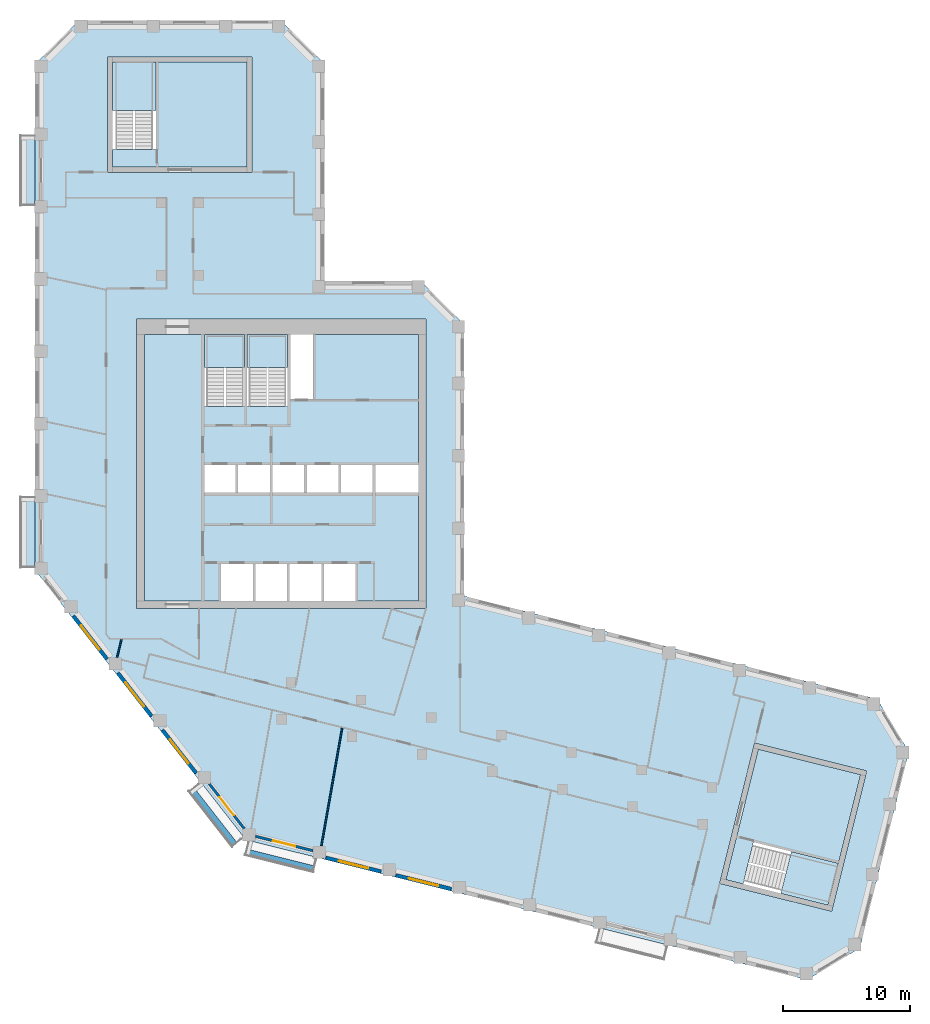
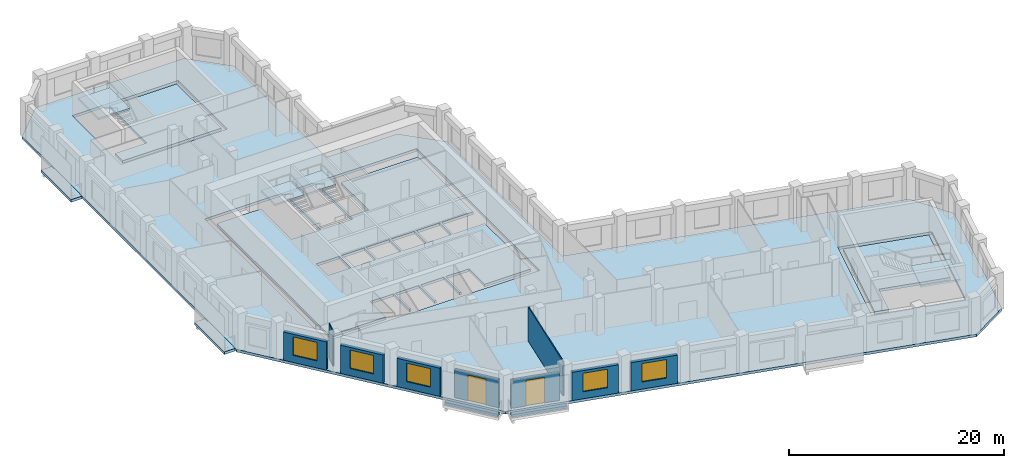
# One storey, part 2 of 9: 11 walls, 10 slabs, 5 windows, 2 doors, 7 openings, 4 elements without a shape of their own.
"""IFC4 building model written with IfcOpenShell, lengths in metres."""

from ifc_helpers import new_model, si_unit, direction, frame, frame_2d, origin, place, context, subcontext, project, spatial, polyline, rectangle, outline, extrude, material, layer, layer_set, type_object, element, fill, aggregate, save


model = new_model("IFC4")

# Units and contexts
model_context = context("Model", 3, precision=1e-05, world=origin(), true_north=direction((0.0, 1.0)))
body_context = subcontext(model_context, "Body", "Model", "MODEL_VIEW")
ifc_project = project(units=[si_unit("LENGTHUNIT", "METRE"), si_unit("AREAUNIT", "SQUARE_METRE"), si_unit("VOLUMEUNIT", "CUBIC_METRE"), si_unit("PLANEANGLEUNIT", "RADIAN"), si_unit("MASSUNIT", "GRAM", prefix="KILO")], contexts=[model_context])

# Site, building, storey
site_placement = place(None, origin())
site = spatial("IfcSite", under=ifc_project, at=site_placement, CompositionType="ELEMENT")
building_placement = place(site_placement, origin())
building = spatial("IfcBuilding", under=site, at=building_placement, Name="Meshkara Civic Tower", CompositionType="ELEMENT")
storey_placement = place(building_placement, frame((0.0, 0.0, 294.0)))
storey = spatial("IfcBuildingStorey", under=building, at=storey_placement, Name="L67", CompositionType="ELEMENT", Elevation=294.0)

# Slabs
ifc_material_1 = material(Name="Concrete C40", Category="concrete")
ifc_layer_1 = layer(ifc_material_1, 0.300048828125)
ifc_layer_set_1 = layer_set([ifc_layer_1], Name="BALCONY SLAB")
slab_type_1 = type_object("IfcSlabType", Name="BALCONY SLAB", PredefinedType="FLOOR", material=ifc_layer_set_1)
slab_1_placement = place(storey_placement, frame((0.0, 0.0, -0.300048828125)))
element("IfcSlab", 1, at=slab_1_placement, inside=storey, type_object=slab_type_1, Name="Balcony slab", PredefinedType="FLOOR", context=body_context, shape_type="SweptSolid", body=[
    extrude(outline(polyline([(-1.199951171875, 45.81494140625), (-1.199951171875, 51.39501953125), (-0.050048828125, 51.39501953125), (-0.050048828125, 50.955078125), (0.0, 50.955078125), (0.0, 46.2548828125), (-0.050048828125, 46.2548828125), (-0.050048828125, 45.81494140625), (-1.199951171875, 45.81494140625)])), origin(), (0.0, 0.0, 1.0), 0.300048828125),
])
slab_2_placement = place(storey_placement, frame((0.0, 0.0, -0.300048828125)))
element("IfcSlab", 2, at=slab_2_placement, inside=storey, type_object=slab_type_1, Name="Balcony slab", PredefinedType="FLOOR", context=body_context, shape_type="SweptSolid", body=[
    extrude(outline(polyline([(-1.199951171875, 17.31494140625), (-1.199951171875, 22.89501953125), (-0.050048828125, 22.89501953125), (-0.050048828125, 22.455078125), (0.0, 22.455078125), (0.0, 17.7548828125), (-0.050048828125, 17.7548828125), (-0.050048828125, 17.31494140625), (-1.199951171875, 17.31494140625)])), origin(), (0.0, 0.0, 1.0), 0.300048828125),
])
ifc_material_2 = material(Name="Concrete C40/50", Category="concrete")
ifc_layer_2 = layer(ifc_material_2, 0.300048828125)
ifc_layer_set_2 = layer_set([ifc_layer_2], Name="Core floor slab 300 C40/50")
slab_type_2 = type_object("IfcSlabType", Name="Core floor slab 300 C40/50", PredefinedType="FLOOR", material=ifc_layer_set_2)
slab_3_placement = place(storey_placement, frame((0.0, 0.0, -0.300048828125)))
element("IfcSlab", 3, at=slab_3_placement, inside=storey, type_object=slab_type_2, Name="Core floor K", PredefinedType="FLOOR", context=body_context, shape_type="SweptSolid", body=[
    extrude(outline(polyline([(8.60009765625, 35.699951171875), (13.35009765625, 35.699951171875), (13.35009765625, 30.00146484375), (16.5, 30.00146484375), (16.5, 35.699951171875), (16.699951171875, 35.699951171875), (16.699951171875, 30.00146484375), (19.89990234375, 30.00146484375), (19.89990234375, 35.699951171875), (20.10009765625, 35.699951171875), (20.10009765625, 30.574951171875), (21.925048828125, 30.574951171875), (21.925048828125, 35.699951171875), (30.199951171875, 35.699951171875), (30.199951171875, 25.39990234375), (26.800048828125, 25.39990234375), (26.800048828125, 23.25), (30.199951171875, 23.25), (30.199951171875, 14.699951171875), (25.25, 14.699951171875), (25.25, 17.60009765625), (22.75, 17.60009765625), (22.75, 14.699951171875), (22.550048828125, 14.699951171875), (22.550048828125, 17.60009765625), (20.050048828125, 17.60009765625), (20.050048828125, 14.699951171875), (19.85009765625, 14.699951171875), (19.85009765625, 17.60009765625), (17.35009765625, 17.60009765625), (17.35009765625, 14.699951171875), (17.14990234375, 14.699951171875), (17.14990234375, 17.60009765625), (14.64990234375, 17.60009765625), (14.64990234375, 14.699951171875), (8.60009765625, 14.699951171875), (8.60009765625, 35.699951171875)]), holes=[polyline([(13.35009765625, 25.39990234375), (13.35009765625, 23.25), (15.800048828125, 23.25), (15.800048828125, 25.39990234375), (13.35009765625, 25.39990234375)]), polyline([(18.5, 25.39990234375), (16.0, 25.39990234375), (16.0, 23.25), (18.5, 23.25), (18.5, 25.39990234375)]), polyline([(18.699951171875, 25.39990234375), (18.699951171875, 23.25), (21.199951171875, 23.25), (21.199951171875, 25.39990234375), (18.699951171875, 25.39990234375)]), polyline([(23.89990234375, 23.25), (23.89990234375, 25.39990234375), (21.39990234375, 25.39990234375), (21.39990234375, 23.25), (23.89990234375, 23.25)]), polyline([(26.60009765625, 25.39990234375), (24.10009765625, 25.39990234375), (24.10009765625, 23.25), (26.60009765625, 23.25), (26.60009765625, 25.39990234375)])]), origin(), (0.0, 0.0, 1.0), 0.300048828125),
])
slab_4_placement = place(storey_placement, frame((0.0, 0.0, -0.300048828125)))
element("IfcSlab", 4, at=slab_4_placement, inside=storey, type_object=slab_type_2, Name="Core floor EA", PredefinedType="FLOOR", context=body_context, shape_type="SweptSolid", body=[
    extrude(outline(polyline([(16.699951171875, 48.8701171875), (16.699951171875, 57.169921875), (9.5, 57.169921875), (9.5, 50.271484375), (6.10009765625, 50.271484375), (6.10009765625, 48.8701171875), (16.699951171875, 48.8701171875)])), origin(), (0.0, 0.0, 1.0), 0.300048828125),
])
slab_5_placement = place(storey_placement, frame((0.0, 0.0, -0.300048828125)))
element("IfcSlab", 5, at=slab_5_placement, inside=storey, type_object=slab_type_2, Name="Core floor EB", PredefinedType="FLOOR", context=body_context, shape_type="SweptSolid", body=[
    extrude(outline(polyline([(56.989013671875, 3.002197265625), (65.04248046875, 0.994384765625), (63.30078125, -5.99169921875), (56.607177734375, -4.322998046875), (55.78466796875, -7.621826171875), (54.4248046875, -7.282958984375), (56.989013671875, 3.002197265625)])), origin(), (0.0, 0.0, 1.0), 0.300048828125),
])

# Stair, slab
ifc_material_3 = material(Name="Precast concrete C40/50", Category="concrete")
stair_type = type_object("IfcStairType", Name="Exit stair half-turn 24 risers precast", PredefinedType="HALF_TURN_STAIR", material=ifc_material_3)
stair_1_placement = place(storey_placement, origin())
stair_1 = element("IfcStair", 6, at=stair_1_placement, inside=storey, type_object=stair_type, Name="L67 exit stair 1", PredefinedType="HALF_TURN_STAIR")
ifc_material_4 = material(Name="Precast concrete C40/50", Category="concrete")
ifc_layer_3 = layer(ifc_material_4, 0.199951171875)
ifc_layer_set_3 = layer_set([ifc_layer_3], Name="Exit stair landing 200")
slab_type_3 = type_object("IfcSlabType", Name="Exit stair landing 200", PredefinedType="LANDING", material=ifc_layer_set_3)
slab_6_placement = place(storey_placement, frame((0.0, 0.0, 1.89990234375)))
slab_6 = element("IfcSlab", 7, at=slab_6_placement, type_object=slab_type_3, Name="ST1 landing 1", PredefinedType="LANDING", context=body_context, shape_type="SweptSolid", body=[
    extrude(outline(polyline([(16.5, 33.07861328125), (16.5, 35.699951171875), (13.35009765625, 35.699951171875), (13.35009765625, 33.07861328125), (16.5, 33.07861328125)])), origin(), (0.0, 0.0, 1.0), 0.2001953125),
])
aggregate(stair_1, [slab_6])

stair_2_placement = place(storey_placement, origin())
stair_2 = element("IfcStair", 8, at=stair_2_placement, inside=storey, type_object=stair_type, Name="L67 exit stair 2", PredefinedType="HALF_TURN_STAIR")
slab_7_placement = place(storey_placement, frame((0.0, 0.0, 1.89990234375)))
slab_7 = element("IfcSlab", 9, at=slab_7_placement, type_object=slab_type_3, Name="ST2 landing 1", PredefinedType="LANDING", context=body_context, shape_type="SweptSolid", body=[
    extrude(outline(polyline([(19.89990234375, 33.07861328125), (19.89990234375, 35.699951171875), (16.699951171875, 35.699951171875), (16.699951171875, 33.07861328125), (19.89990234375, 33.07861328125)])), origin(), (0.0, 0.0, 1.0), 0.2001953125),
])
aggregate(stair_2, [slab_7])

stair_3_placement = place(storey_placement, origin())
stair_3 = element("IfcStair", 10, at=stair_3_placement, inside=storey, type_object=stair_type, Name="L67 exit stair A from L65", PredefinedType="HALF_TURN_STAIR")
slab_8_placement = place(storey_placement, frame((0.0, 0.0, 1.89990234375)))
slab_8 = element("IfcSlab", 11, at=slab_8_placement, type_object=slab_type_3, Name="ESA5 landing 1", PredefinedType="LANDING", context=body_context, shape_type="SweptSolid", body=[
    extrude(outline(polyline([(9.5, 53.348388671875), (9.5, 57.169921875), (6.10009765625, 57.169921875), (6.10009765625, 53.348388671875), (9.5, 53.348388671875)])), origin(), (0.0, 0.0, 1.0), 0.2001953125),
])
aggregate(stair_3, [slab_8])

stair_4_placement = place(storey_placement, origin())
stair_4 = element("IfcStair", 12, at=stair_4_placement, inside=storey, type_object=stair_type, Name="L67 exit stair B from L65", PredefinedType="HALF_TURN_STAIR")
slab_9_placement = place(storey_placement, frame((0.0, 0.0, 1.89990234375)))
slab_9 = element("IfcSlab", 13, at=slab_9_placement, type_object=slab_type_3, Name="ESB5 landing 1", PredefinedType="LANDING", context=body_context, shape_type="SweptSolid", body=[
    extrude(outline(polyline([(58.769775390625, -8.366943359375), (62.477783203125, -9.2919921875), (63.301025390625, -5.991943359375), (59.593017578125, -5.06689453125), (58.769775390625, -8.366943359375)])), origin(), (0.0, 0.0, 1.0), 0.2001953125),
])
aggregate(stair_4, [slab_9])

# Slab
ifc_material_5 = material(Name="Concrete C50", Category="concrete")
ifc_layer_4 = layer(ifc_material_5, 0.300048828125)
ifc_layer_set_4 = layer_set([ifc_layer_4], Name="Post-tensioned flat slab 300 C50")
slab_type_4 = type_object("IfcSlabType", Name="Post-tensioned flat slab 300 C50", PredefinedType="FLOOR", material=ifc_layer_set_4)
slab_10_placement = place(storey_placement, frame((0.0, 0.0, -0.300048828125)))
element("IfcSlab", 14, at=slab_10_placement, inside=storey, type_object=slab_type_4, Name="Post-tensioned flat slab L67", PredefinedType="FLOOR", context=body_context, shape_type="SweptSolid", body=[
    extrude(outline(polyline([(64.98291015625, -12.677001953125), (60.837890625, -15.1689453125), (16.592041015625, -4.136962890625), (0.0, 17.10009765625), (0.0, 57.0), (3.419921875, 60.419921875), (19.3798828125, 60.419921875), (22.800048828125, 57.0), (22.800048828125, 39.89990234375), (30.3798828125, 39.89990234375), (33.800048828125, 36.47998046875), (33.800048828125, 15.071044921875), (66.35302734375, 6.9541015625), (68.843994140625, 2.80810546875), (64.98291015625, -12.677001953125)]), holes=[polyline([(62.77001953125, -9.77587890625), (65.527099609375, 1.285888671875), (56.697998046875, 3.487060546875), (53.93994140625, -7.573974609375), (62.77001953125, -9.77587890625)]), polyline([(8.0, 14.10009765625), (30.800048828125, 14.10009765625), (30.800048828125, 36.89990234375), (8.0, 36.89990234375), (8.0, 14.10009765625)]), polyline([(5.699951171875, 57.570068359375), (5.699951171875, 48.469970703125), (17.10009765625, 48.469970703125), (17.10009765625, 57.570068359375), (5.699951171875, 57.570068359375)])]), origin(), (0.0, 0.0, 1.0), 0.300048828125),
])

# Wall, opening, window
ifc_material_6 = material(Name="Insulated infill panel with bronze anodised aluminium cladding", Category="aluminium")
ifc_layer_5 = layer(ifc_material_6, 0.300048828125)
ifc_layer_set_5 = layer_set([ifc_layer_5], Name="EXTERNAL INFILL WALL 300")
wall_type_1 = type_object("IfcWallType", Name="EXTERNAL INFILL WALL 300", PredefinedType="SOLIDWALL", material=ifc_layer_set_5)
wall_1_placement = place(storey_placement, frame((3.010009765625, 13.490966796875, 0.0), z_axis=(0.0, 0.0, 1.0), x_axis=(0.615713519567, -0.787970089421, 0.0)))
wall_1 = element("IfcWall", 15, at=wall_1_placement, inside=storey, type_object=wall_type_1, Name="External wall", PredefinedType="SOLIDWALL", context=body_context, shape_type="SweptSolid", body=[
    extrude(rectangle(XDim=4.2958984375, YDim=0.300048828125, at=frame_2d((2.14794921875, 0.0))), origin(), (0.0, 0.0, 1.0), 3.199951171875),
])
opening_1_placement = place(wall_1_placement, frame((0.947998046875, 0.0, 0.800048828125)))
opening_1 = element("IfcOpeningElement", 16, at=opening_1_placement, cuts=wall_1, Name="Opening W7", PredefinedType="OPENING", context=body_context, shape_type="SweptSolid", body=[
    extrude(rectangle(XDim=2.39990234375, YDim=2.10009765625, at=frame_2d((1.199951171875, 1.050048828125))), frame((0.0, 0.159912109375, 0.0), z_axis=(0.0, -1.0, 0.0), x_axis=(1.0, 0.0, 0.0)), (0.0, 0.0, 1.0), 0.320068359375),
])
ifc_material_7 = material(Name="Tinted double glazing", Category="glass")
window_type = type_object("IfcWindowType", Name="WINDOW 2400x2100", PartitioningType="DOUBLE_PANEL_VERTICAL", PredefinedType="WINDOW", material=ifc_material_7)
window_1_placement = place(opening_1_placement, origin())
window_1 = element("IfcWindow", 17, at=window_1_placement, inside=storey, type_object=window_type, Name="Window", OverallHeight=2.10009765625, OverallWidth=2.39990234375, PartitioningType="DOUBLE_PANEL_VERTICAL", PredefinedType="WINDOW", context=body_context, shape_type="SweptSolid", body=[
    extrude(rectangle(XDim=2.39990234375, YDim=2.10009765625, at=frame_2d((1.199951171875, 1.050048828125))), frame((0.0, 0.030029296875, 0.0), z_axis=(0.0, -1.0, 0.0), x_axis=(1.0, 0.0, 0.0)), (0.0, 0.0, 1.0), 0.06005859375),
])
fill(opening_1, window_1)

wall_2_placement = place(storey_placement, frame((6.51904296875, 9.0, 0.0), z_axis=(0.0, 0.0, 1.0), x_axis=(0.615634121154, -0.788032124263, 0.0)))
wall_2 = element("IfcWall", 18, at=wall_2_placement, inside=storey, type_object=wall_type_1, Name="External wall", PredefinedType="SOLIDWALL", context=body_context, shape_type="SweptSolid", body=[
    extrude(rectangle(XDim=4.298095703125, YDim=0.300048828125, at=frame_2d((2.14892578125, 0.0))), origin(), (0.0, 0.0, 1.0), 3.199951171875),
])
opening_2_placement = place(wall_2_placement, frame((0.948974609375, 0.0, 0.800048828125)))
opening_2 = element("IfcOpeningElement", 19, at=opening_2_placement, cuts=wall_2, Name="Opening W7", PredefinedType="OPENING", context=body_context, shape_type="SweptSolid", body=[
    extrude(rectangle(XDim=2.39990234375, YDim=2.10009765625, at=frame_2d((1.199951171875, 1.050048828125))), frame((0.0, 0.159912109375, 0.0), z_axis=(0.0, -1.0, 0.0), x_axis=(1.0, 0.0, 0.0)), (0.0, 0.0, 1.0), 0.320068359375),
])
window_2_placement = place(opening_2_placement, origin())
window_2 = element("IfcWindow", 20, at=window_2_placement, inside=storey, type_object=window_type, Name="Window", OverallHeight=2.10009765625, OverallWidth=2.39990234375, PartitioningType="DOUBLE_PANEL_VERTICAL", PredefinedType="WINDOW", context=body_context, shape_type="SweptSolid", body=[
    extrude(rectangle(XDim=2.39990234375, YDim=2.10009765625, at=frame_2d((1.199951171875, 1.050048828125))), frame((0.0, 0.030029296875, 0.0), z_axis=(0.0, -1.0, 0.0), x_axis=(1.0, 0.0, 0.0)), (0.0, 0.0, 1.0), 0.06005859375),
])
fill(opening_2, window_2)

wall_3_placement = place(storey_placement, frame((10.029052734375, 4.507080078125, 0.0), z_axis=(0.0, 0.0, 1.0), x_axis=(0.615572343689, -0.788080382756, 0.0)))
wall_3 = element("IfcWall", 21, at=wall_3_placement, inside=storey, type_object=wall_type_1, Name="External wall", PredefinedType="SOLIDWALL", context=body_context, shape_type="SweptSolid", body=[
    extrude(rectangle(XDim=4.295166015625, YDim=0.300048828125, at=frame_2d((2.1474609375, 0.0))), origin(), (0.0, 0.0, 1.0), 3.199951171875),
])
opening_3_placement = place(wall_3_placement, frame((0.947998046875, 0.0, 0.800048828125)))
opening_3 = element("IfcOpeningElement", 22, at=opening_3_placement, cuts=wall_3, Name="Opening W7", PredefinedType="OPENING", context=body_context, shape_type="SweptSolid", body=[
    extrude(rectangle(XDim=2.39990234375, YDim=2.10009765625, at=frame_2d((1.199951171875, 1.050048828125))), frame((0.0, 0.159912109375, 0.0), z_axis=(0.0, -1.0, 0.0), x_axis=(1.0, 0.0, 0.0)), (0.0, 0.0, 1.0), 0.320068359375),
])
window_3_placement = place(opening_3_placement, origin())
window_3 = element("IfcWindow", 23, at=window_3_placement, inside=storey, type_object=window_type, Name="Window", OverallHeight=2.10009765625, OverallWidth=2.39990234375, PartitioningType="DOUBLE_PANEL_VERTICAL", PredefinedType="WINDOW", context=body_context, shape_type="SweptSolid", body=[
    extrude(rectangle(XDim=2.39990234375, YDim=2.10009765625, at=frame_2d((1.199951171875, 1.050048828125))), frame((0.0, 0.030029296875, 0.0), z_axis=(0.0, -1.0, 0.0), x_axis=(1.0, 0.0, 0.0)), (0.0, 0.0, 1.0), 0.06005859375),
])
fill(opening_3, window_3)

wall_4_placement = place(storey_placement, frame((22.89794921875, -5.554931640625, 0.0), z_axis=(0.0, 0.0, 1.0), x_axis=(0.970315118421, -0.24184410467, 0.0)))
wall_4 = element("IfcWall", 24, at=wall_4_placement, inside=storey, type_object=wall_type_1, Name="External wall", PredefinedType="SOLIDWALL", context=body_context, shape_type="SweptSolid", body=[
    extrude(rectangle(XDim=4.486083984375, YDim=0.300048828125, at=frame_2d((2.2431640625, 0.0))), origin(), (0.0, 0.0, 1.0), 3.199951171875),
])
opening_4_placement = place(wall_4_placement, frame((1.0439453125, 0.0, 0.800048828125)))
opening_4 = element("IfcOpeningElement", 25, at=opening_4_placement, cuts=wall_4, Name="Opening W7", PredefinedType="OPENING", context=body_context, shape_type="SweptSolid", body=[
    extrude(rectangle(XDim=2.39990234375, YDim=2.10009765625, at=frame_2d((1.199951171875, 1.050048828125))), frame((0.0, 0.159912109375, 0.0), z_axis=(0.0, -1.0, 0.0), x_axis=(1.0, 0.0, 0.0)), (0.0, 0.0, 1.0), 0.320068359375),
])
window_4_placement = place(opening_4_placement, origin())
window_4 = element("IfcWindow", 26, at=window_4_placement, inside=storey, type_object=window_type, Name="Window", OverallHeight=2.10009765625, OverallWidth=2.39990234375, PartitioningType="DOUBLE_PANEL_VERTICAL", PredefinedType="WINDOW", context=body_context, shape_type="SweptSolid", body=[
    extrude(rectangle(XDim=2.39990234375, YDim=2.10009765625, at=frame_2d((1.199951171875, 1.050048828125))), frame((0.0, 0.030029296875, 0.0), z_axis=(0.0, -1.0, 0.0), x_axis=(1.0, 0.0, 0.0)), (0.0, 0.0, 1.0), 0.06005859375),
])
fill(opening_4, window_4)

wall_5_placement = place(storey_placement, frame((28.427978515625, -6.93310546875, 0.0), z_axis=(0.0, 0.0, 1.0), x_axis=(0.970276766004, -0.241997928406, 0.0)))
wall_5 = element("IfcWall", 27, at=wall_5_placement, inside=storey, type_object=wall_type_1, Name="External wall", PredefinedType="SOLIDWALL", context=body_context, shape_type="SweptSolid", body=[
    extrude(rectangle(XDim=4.4873046875, YDim=0.300048828125, at=frame_2d((2.24365234375, 0.0))), origin(), (0.0, 0.0, 1.0), 3.199951171875),
])
opening_5_placement = place(wall_5_placement, frame((1.0439453125, 0.0, 0.800048828125)))
opening_5 = element("IfcOpeningElement", 28, at=opening_5_placement, cuts=wall_5, Name="Opening W7", PredefinedType="OPENING", context=body_context, shape_type="SweptSolid", body=[
    extrude(rectangle(XDim=2.39990234375, YDim=2.10009765625, at=frame_2d((1.199951171875, 1.050048828125))), frame((0.0, 0.159912109375, 0.0), z_axis=(0.0, -1.0, 0.0), x_axis=(1.0, 0.0, 0.0)), (0.0, 0.0, 1.0), 0.320068359375),
])
window_5_placement = place(opening_5_placement, origin())
window_5 = element("IfcWindow", 29, at=window_5_placement, inside=storey, type_object=window_type, Name="Window", OverallHeight=2.10009765625, OverallWidth=2.39990234375, PartitioningType="DOUBLE_PANEL_VERTICAL", PredefinedType="WINDOW", context=body_context, shape_type="SweptSolid", body=[
    extrude(rectangle(XDim=2.39990234375, YDim=2.10009765625, at=frame_2d((1.199951171875, 1.050048828125))), frame((0.0, 0.030029296875, 0.0), z_axis=(0.0, -1.0, 0.0), x_axis=(1.0, 0.0, 0.0)), (0.0, 0.0, 1.0), 0.06005859375),
])
fill(opening_5, window_5)

# Wall, opening, door
ifc_material_8 = material(Name="Insulated infill panel with bronze anodised aluminium cladding", Category="aluminium")
ifc_layer_6 = layer(ifc_material_8, 0.199951171875)
ifc_layer_set_6 = layer_set([ifc_layer_6], Name="LOGGIA BACK WALL 200")
wall_type_2 = type_object("IfcWallType", Name="LOGGIA BACK WALL 200", PredefinedType="SOLIDWALL", material=ifc_layer_set_6)
wall_6_placement = place(storey_placement, frame((13.73291015625, 0.25390625, 0.0), z_axis=(0.0, 0.0, 1.0), x_axis=(0.615499674676, -0.788137139382, 0.0)))
wall_6 = element("IfcWall", 30, at=wall_6_placement, inside=storey, type_object=wall_type_2, Name="Loggia wall", PredefinedType="SOLIDWALL", context=body_context, shape_type="SweptSolid", body=[
    extrude(rectangle(XDim=4.4306640625, YDim=0.199951171875, at=frame_2d((2.21533203125, 0.0))), origin(), (0.0, 0.0, 1.0), 3.199951171875),
])
opening_6_placement = place(wall_6_placement, frame((1.31494140625, 0.0, 0.0)))
opening_6 = element("IfcOpeningElement", 31, at=opening_6_placement, cuts=wall_6, Name="Opening L67-L003", PredefinedType="OPENING", context=body_context, shape_type="SweptSolid", body=[
    extrude(rectangle(XDim=1.800048828125, YDim=2.89990234375, at=frame_2d((0.89990234375, 1.449951171875))), frame((0.0, 0.10986328125, 0.0), z_axis=(0.0, -1.0, 0.0), x_axis=(1.0, 0.0, 0.0)), (0.0, 0.0, 1.0), 0.219970703125),
])
ifc_material_9 = material(Name="Tinted double glazing", Category="glass")
door_type = type_object("IfcDoorType", Name="LOGGIA DOOR 1800x2900", OperationType="DOUBLE_DOOR_SINGLE_SWING", PredefinedType="DOOR", material=ifc_material_9)
door_1_placement = place(opening_6_placement, origin())
door_1 = element("IfcDoor", 32, at=door_1_placement, inside=storey, type_object=door_type, Name="L67-L003", OperationType="DOUBLE_DOOR_SINGLE_SWING", OverallHeight=2.89990234375, OverallWidth=1.800048828125, PredefinedType="DOOR", context=body_context, shape_type="SweptSolid", body=[
    extrude(rectangle(XDim=1.800048828125, YDim=2.89990234375, at=frame_2d((0.89990234375, 1.449951171875))), frame((0.0, 0.02490234375, 0.0), z_axis=(0.0, -1.0, 0.0), x_axis=(1.0, 0.0, 0.0)), (0.0, 0.0, 1.0), 0.050048828125),
])
fill(opening_6, door_1)

wall_7_placement = place(storey_placement, frame((17.35107421875, -3.863037109375, 0.0), z_axis=(0.0, 0.0, 1.0), x_axis=(0.970335948358, -0.241760516472, 0.0)))
wall_7 = element("IfcWall", 33, at=wall_7_placement, inside=storey, type_object=wall_type_2, Name="Loggia wall", PredefinedType="SOLIDWALL", context=body_context, shape_type="SweptSolid", body=[
    extrude(rectangle(XDim=4.66943359375, YDim=0.199951171875, at=frame_2d((2.334716796875, 0.0))), origin(), (0.0, 0.0, 1.0), 3.199951171875),
])
opening_7_placement = place(wall_7_placement, frame((1.43408203125, 0.0, 0.0)))
opening_7 = element("IfcOpeningElement", 34, at=opening_7_placement, cuts=wall_7, Name="Opening L67-L004", PredefinedType="OPENING", context=body_context, shape_type="SweptSolid", body=[
    extrude(rectangle(XDim=1.800048828125, YDim=2.89990234375, at=frame_2d((0.89990234375, 1.449951171875))), frame((0.0, 0.10986328125, 0.0), z_axis=(0.0, -1.0, 0.0), x_axis=(1.0, 0.0, 0.0)), (0.0, 0.0, 1.0), 0.219970703125),
])
door_2_placement = place(opening_7_placement, origin())
door_2 = element("IfcDoor", 35, at=door_2_placement, inside=storey, type_object=door_type, Name="L67-L004", OperationType="DOUBLE_DOOR_SINGLE_SWING", OverallHeight=2.89990234375, OverallWidth=1.800048828125, PredefinedType="DOOR", context=body_context, shape_type="SweptSolid", body=[
    extrude(rectangle(XDim=1.800048828125, YDim=2.89990234375, at=frame_2d((0.89990234375, 1.449951171875))), frame((0.0, 0.02490234375, 0.0), z_axis=(0.0, -1.0, 0.0), x_axis=(1.0, 0.0, 0.0)), (0.0, 0.0, 1.0), 0.050048828125),
])
fill(opening_7, door_2)

# Walls
ifc_material_10 = material(Name="Concrete C40", Category="concrete")
ifc_layer_7 = layer(ifc_material_10, 0.39990234375)
ifc_layer_set_7 = layer_set([ifc_layer_7], Name="PLANTER TRAY")
wall_type_3 = type_object("IfcWallType", Name="PLANTER TRAY", PredefinedType="SOLIDWALL", material=ifc_layer_set_7)
wall_8_placement = place(storey_placement, frame((12.39794921875, -0.198974609375, 0.0), z_axis=(0.0, 0.0, 1.0), x_axis=(0.615638738903, -0.788028516719, 0.0)))
element("IfcWall", 36, at=wall_8_placement, inside=storey, type_object=wall_type_3, Name="Planter", PredefinedType="SOLIDWALL", context=body_context, shape_type="SweptSolid", body=[
    extrude(rectangle(XDim=5.3603515625, YDim=0.39990234375, at=frame_2d((2.68017578125, 0.0))), origin(), (0.0, 0.0, 1.0), 0.300048828125),
])
wall_9_placement = place(storey_placement, frame((16.694091796875, -5.069091796875, 0.0), z_axis=(0.0, 0.0, 1.0), x_axis=(0.970289679319, -0.241946147329, 0.0)))
element("IfcWall", 37, at=wall_9_placement, inside=storey, type_object=wall_type_3, Name="Planter", PredefinedType="SOLIDWALL", context=body_context, shape_type="SweptSolid", body=[
    extrude(rectangle(XDim=5.360107421875, YDim=0.39990234375, at=frame_2d((2.68017578125, 0.0))), origin(), (0.0, 0.0, 1.0), 0.300048828125),
])
ifc_material_11 = material(Name="Partition 100")
ifc_layer_8 = layer(ifc_material_11, 0.10009765625)
ifc_layer_set_8 = layer_set([ifc_layer_8], Name="Partition 100")
wall_type_4 = type_object("IfcWallType", Name="Partition 100", PredefinedType="PARTITIONING", material=ifc_layer_set_8)
wall_10_placement = place(storey_placement, frame((6.797119140625, 11.637939453125, 0.0), z_axis=(0.0, 0.0, 1.0), x_axis=(-0.242456058691, -0.970162388265, 0.0)))
element("IfcWall", 38, at=wall_10_placement, inside=storey, type_object=wall_type_4, Name="L67-W039", PredefinedType="PARTITIONING", context=body_context, shape_type="SweptSolid", body=[
    extrude(rectangle(XDim=1.44384765625, YDim=0.10009765625, at=frame_2d((0.721923828125, 0.0))), origin(), (0.0, 0.0, 1.0), 3.89990234375),
])
wall_11_placement = place(storey_placement, frame((22.552001953125, -4.616943359375, 0.0), z_axis=(0.0, 0.0, 1.0), x_axis=(0.173625790791, 0.98481170016, 0.0)))
element("IfcWall", 39, at=wall_11_placement, inside=storey, type_object=wall_type_4, Name="L67-W046", PredefinedType="PARTITIONING", context=body_context, shape_type="SweptSolid", body=[
    extrude(rectangle(XDim=9.42822265625, YDim=0.10009765625, at=frame_2d((4.714111328125, 0.0))), origin(), (0.0, 0.0, 1.0), 3.89990234375),
])

save(model, "model.ifc")
